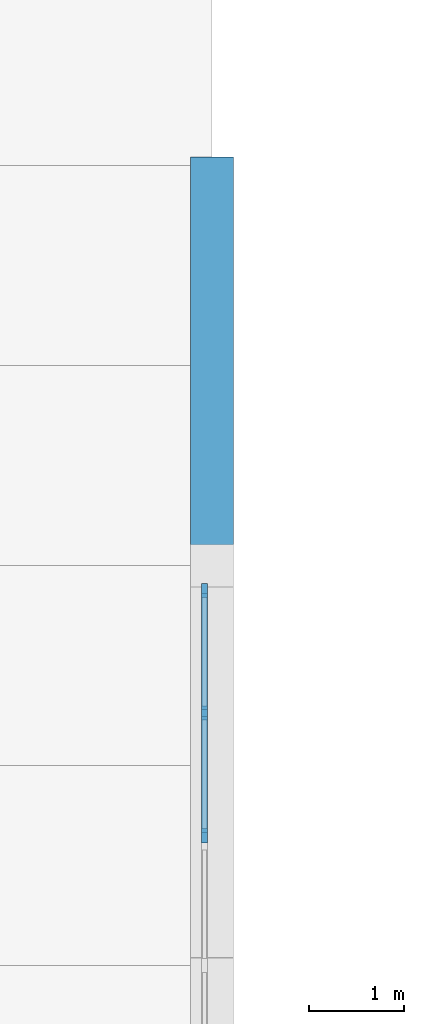
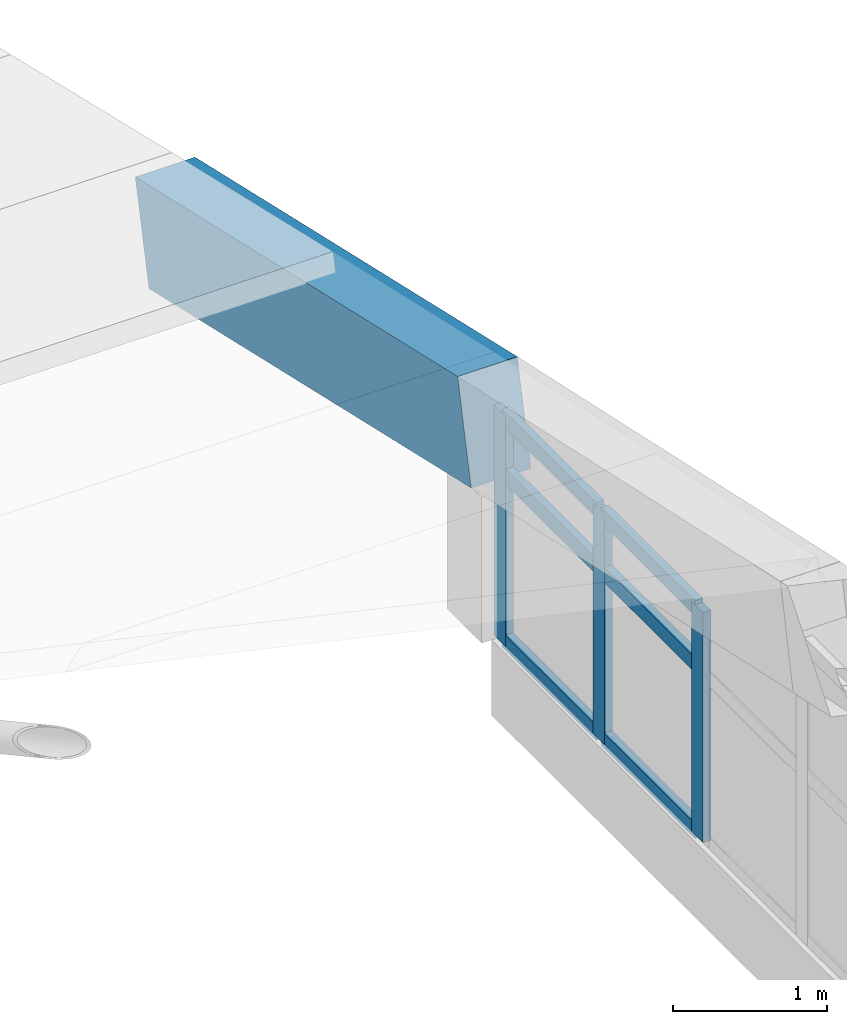
# One storey, part 7 of 47: 9 members, 1 beam, 1 element without a shape of its own.
"""IFC4 building model written with IfcOpenShell, lengths in metres."""

from ifc_helpers import new_model, si_unit, direction, frame, origin, origin_2d, place, context, subcontext, project, spatial, rectangle, extrude, material, material_profile, profile_set, type_object, element, aggregate, save


model = new_model("IFC4")

# Units and contexts
model_context = context("Model", 3, precision=1e-05, world=origin(), true_north=direction((0.0, 1.0)))
body_context = subcontext(model_context, "Body", "Model", "MODEL_VIEW")
ifc_project = project(units=[si_unit("LENGTHUNIT", "METRE"), si_unit("AREAUNIT", "SQUARE_METRE"), si_unit("VOLUMEUNIT", "CUBIC_METRE"), si_unit("PLANEANGLEUNIT", "RADIAN"), si_unit("MASSUNIT", "GRAM", prefix="KILO")], contexts=[model_context])

# Site, building, storey
site_placement = place(None, origin())
site = spatial("IfcSite", under=ifc_project, at=site_placement, CompositionType="ELEMENT")
building_placement = place(site_placement, origin())
building = spatial("IfcBuilding", under=site, at=building_placement, Name="Qaldarim Faculty of Natural and Applied Sciences", CompositionType="ELEMENT")
storey_placement = place(building_placement, frame((0.0, 0.0, 22.800048828125)))
storey = spatial("IfcBuildingStorey", under=building, at=storey_placement, Name="L05", CompositionType="ELEMENT", Elevation=22.800048828125)

# Curtain wall, members
ifc_material_1 = material(Name="Anodised aluminium AW-6063", Category="aluminium")
curtain_wall_type = type_object("IfcCurtainWallType", Name="CurtainWallSystem-M1500", PredefinedType="USERDEFINED", material=ifc_material_1)
curtain_wall_placement = place(storey_placement, origin())
curtain_wall = element("IfcCurtainWall", 1, at=curtain_wall_placement, inside=storey, type_object=curtain_wall_type, Name="Curtain wall CW-GABLE-L05-E-Y07-3", ObjectType="STICK CURTAIN WALL", PredefinedType="USERDEFINED")
ifc_material_profile_1 = material_profile(ifc_material_1, rectangle(XDim=0.06005859375, YDim=0.14990234375, at=origin_2d()), Name="ALU-M60x150")
ifc_profile_set_1 = profile_set([ifc_material_profile_1], Name="Anodised aluminium AW-6063")
member_type_1 = type_object("IfcMemberType", Name="Mullion-ALU60x150", PredefinedType="MULLION", material=ifc_profile_set_1)
member_1_placement = place(storey_placement, frame((46.1201171875, 55.965087890625, 0.0), z_axis=(0.0, 0.0, 1.0), x_axis=(-1.0, 0.0, 0.0)))
member_1 = element("IfcMember", 2, at=member_1_placement, type_object=member_type_1, Name="Mullion 1 of CW-GABLE-L05-E-Y07-3", PredefinedType="MULLION", context=body_context, shape_type="SweptSolid", body=[
    extrude(rectangle(XDim=0.06005859375, YDim=0.14990234375, at=origin_2d()), origin(), (0.0, 0.0, 1.0), 1.829833984375),
])
member_2_placement = place(storey_placement, frame((46.1201171875, 57.25244140625, 0.0), z_axis=(0.0, 0.0, 1.0), x_axis=(-1.0, 0.0, 0.0)))
member_2 = element("IfcMember", 3, at=member_2_placement, type_object=member_type_1, Name="Mullion 2 of CW-GABLE-L05-E-Y07-3", PredefinedType="MULLION", context=body_context, shape_type="SweptSolid", body=[
    extrude(rectangle(XDim=0.06005859375, YDim=0.14990234375, at=origin_2d()), origin(), (0.0, 0.0, 1.0), 1.829833984375),
])
member_3_placement = place(storey_placement, frame((46.1201171875, 58.5400390625, 0.0), z_axis=(0.0, 0.0, 1.0), x_axis=(-1.0, 0.0, 0.0)))
member_3 = element("IfcMember", 4, at=member_3_placement, type_object=member_type_1, Name="Mullion 3 of CW-GABLE-L05-E-Y07-3", PredefinedType="MULLION", context=body_context, shape_type="SweptSolid", body=[
    extrude(rectangle(XDim=0.06005859375, YDim=0.14990234375, at=origin_2d()), origin(), (0.0, 0.0, 1.0), 1.829833984375),
])

# Beam
ifc_material_2 = material(Name="Concrete C50/60", Category="concrete")
ifc_material_profile_2 = material_profile(ifc_material_2, rectangle(XDim=0.449951171875, YDim=0.800048828125, at=origin_2d()), Name="RC-RIB450x800")
ifc_profile_set_2 = profile_set([ifc_material_profile_2], Name="Concrete C50/60")
beam_type = type_object("IfcBeamType", Name="ShellArchRib-RC450x800", PredefinedType="BEAM", material=ifc_profile_set_2)
beam_placement = place(storey_placement, frame((46.199951171875, 63.0, 0.579833984375), z_axis=(0.0, -0.974847602774, 0.222872500245), x_axis=(1.0, 0.0, 0.0)))
element("IfcBeam", 5, at=beam_placement, inside=storey, type_object=beam_type, Name="Shell arch rib 8 N segment 6", PredefinedType="BEAM", context=body_context, shape_type="SweptSolid", body=[
    extrude(rectangle(XDim=0.449951171875, YDim=0.800048828125, at=origin_2d()), origin(), (0.0, 0.0, 1.0), 4.308349609375),
])

# Member
ifc_material_profile_3 = material_profile(ifc_material_1, rectangle(XDim=0.06005859375, YDim=0.1201171875, at=origin_2d()), Name="ALU-T60x120")
ifc_profile_set_3 = profile_set([ifc_material_profile_3], Name="Anodised aluminium AW-6063")
member_type_2 = type_object("IfcMemberType", Name="Transom-ALU60x120", PredefinedType="USERDEFINED", material=ifc_profile_set_3)
member_4_placement = place(storey_placement, frame((46.1201171875, 55.9951171875, 0.030029296875), z_axis=(0.0, 1.0, 0.0), x_axis=(-1.0, 0.0, 0.0)))
member_4 = element("IfcMember", 6, at=member_4_placement, type_object=member_type_2, Name="Transom 1-1 of CW-GABLE-L05-E-Y07-3", ObjectType="TRANSOM", PredefinedType="USERDEFINED", context=body_context, shape_type="SweptSolid", body=[
    extrude(rectangle(XDim=0.06005859375, YDim=0.1201171875, at=origin_2d()), origin(), (0.0, 0.0, 1.0), 1.227294921875),
])

member_5_placement = place(storey_placement, frame((46.1201171875, 55.9951171875, 1.349853515625), z_axis=(0.0, 1.0, 0.0), x_axis=(-1.0, 0.0, 0.0)))
member_5 = element("IfcMember", 7, at=member_5_placement, type_object=member_type_2, Name="Transom 1-2 of CW-GABLE-L05-E-Y07-3", ObjectType="TRANSOM", PredefinedType="USERDEFINED", context=body_context, shape_type="SweptSolid", body=[
    extrude(rectangle(XDim=0.06005859375, YDim=0.1201171875, at=origin_2d()), origin(), (0.0, 0.0, 1.0), 1.227294921875),
])

member_6_placement = place(storey_placement, frame((46.1201171875, 55.9951171875, 1.800048828125), z_axis=(0.0, 1.0, 0.0), x_axis=(-1.0, 0.0, 0.0)))
member_6 = element("IfcMember", 8, at=member_6_placement, type_object=member_type_2, Name="Transom 1-3 of CW-GABLE-L05-E-Y07-3", ObjectType="TRANSOM", PredefinedType="USERDEFINED", context=body_context, shape_type="SweptSolid", body=[
    extrude(rectangle(XDim=0.06005859375, YDim=0.1201171875, at=origin_2d()), origin(), (0.0, 0.0, 1.0), 1.227294921875),
])

member_7_placement = place(storey_placement, frame((46.1201171875, 57.282470703125, 0.030029296875), z_axis=(0.0, 1.0, 0.0), x_axis=(-1.0, 0.0, 0.0)))
member_7 = element("IfcMember", 9, at=member_7_placement, type_object=member_type_2, Name="Transom 2-1 of CW-GABLE-L05-E-Y07-3", ObjectType="TRANSOM", PredefinedType="USERDEFINED", context=body_context, shape_type="SweptSolid", body=[
    extrude(rectangle(XDim=0.06005859375, YDim=0.1201171875, at=origin_2d()), origin(), (0.0, 0.0, 1.0), 1.2275390625),
])

member_8_placement = place(storey_placement, frame((46.1201171875, 57.282470703125, 1.349853515625), z_axis=(0.0, 1.0, 0.0), x_axis=(-1.0, 0.0, 0.0)))
member_8 = element("IfcMember", 10, at=member_8_placement, type_object=member_type_2, Name="Transom 2-2 of CW-GABLE-L05-E-Y07-3", ObjectType="TRANSOM", PredefinedType="USERDEFINED", context=body_context, shape_type="SweptSolid", body=[
    extrude(rectangle(XDim=0.06005859375, YDim=0.1201171875, at=origin_2d()), origin(), (0.0, 0.0, 1.0), 1.2275390625),
])

member_9_placement = place(storey_placement, frame((46.1201171875, 57.282470703125, 1.800048828125), z_axis=(0.0, 1.0, 0.0), x_axis=(-1.0, 0.0, 0.0)))
member_9 = element("IfcMember", 11, at=member_9_placement, type_object=member_type_2, Name="Transom 2-3 of CW-GABLE-L05-E-Y07-3", ObjectType="TRANSOM", PredefinedType="USERDEFINED", context=body_context, shape_type="SweptSolid", body=[
    extrude(rectangle(XDim=0.06005859375, YDim=0.1201171875, at=origin_2d()), origin(), (0.0, 0.0, 1.0), 1.2275390625),
])

aggregate(curtain_wall, [member_1, member_2, member_3, member_4, member_5, member_6, member_7, member_8, member_9])

save(model, "model.ifc")
